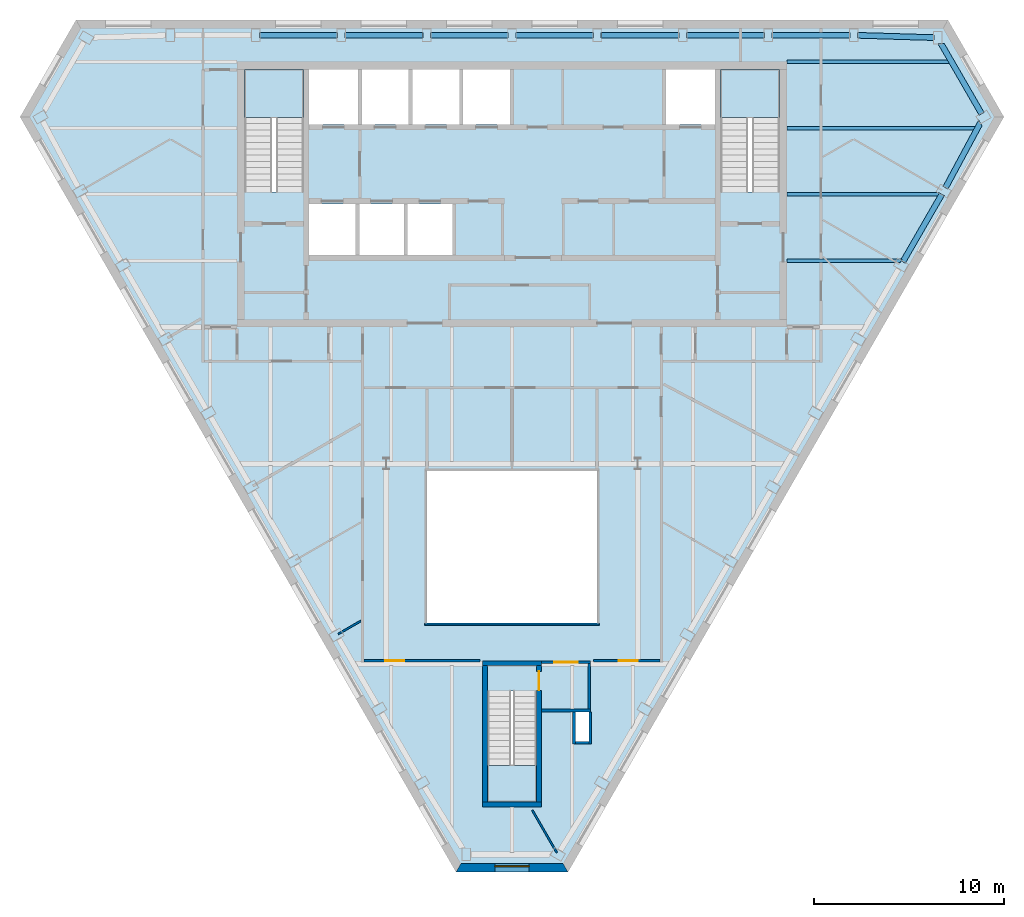
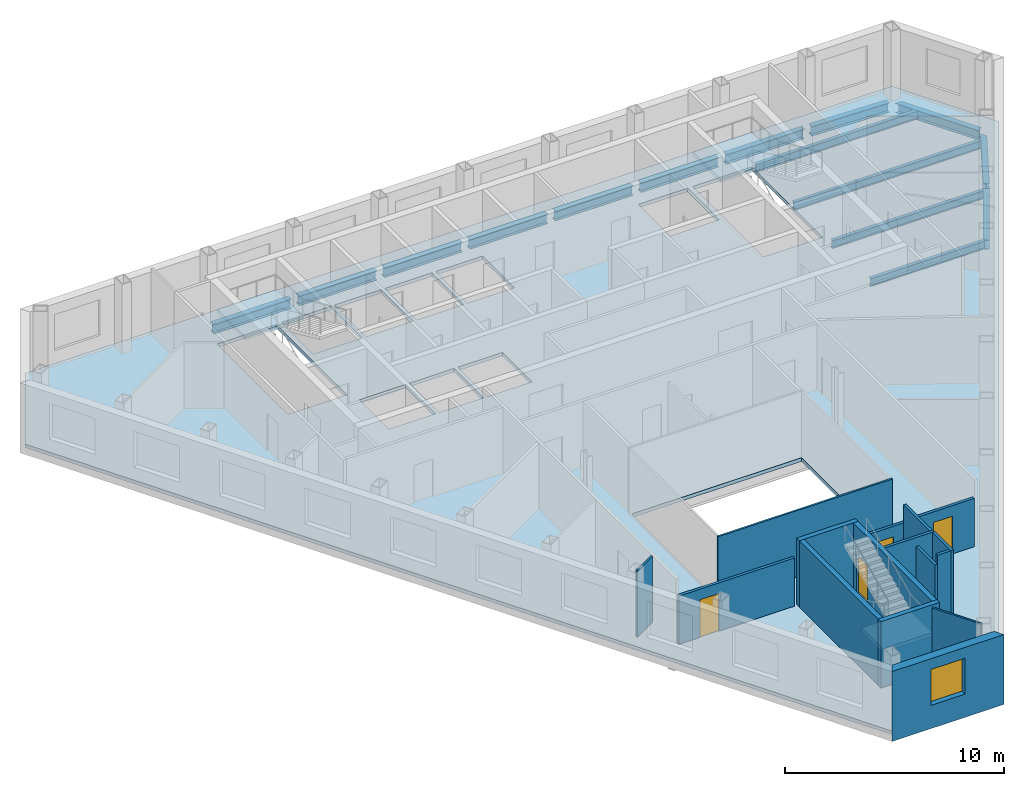
# One storey, part 3 of 10: 16 walls, 15 beams, 4 doors, 4 slabs, 1 window, 5 openings, 3 elements without a shape of their own.
"""IFC4 building model written with IfcOpenShell, lengths in metres."""

from ifc_helpers import new_model, si_unit, direction, frame, frame_2d, origin, origin_2d, place, context, subcontext, project, spatial, polyline, rectangle, i_section, outline, extrude, clip, halfspace, material, layer, layer_set, material_profile, profile_set, type_object, element, fill, aggregate, save


model = new_model("IFC4")

# Units and contexts
model_context = context("Model", 3, precision=1e-05, world=origin(), true_north=direction((0.0, 1.0)))
body_context = subcontext(model_context, "Body", "Model", "MODEL_VIEW")
ifc_project = project(units=[si_unit("LENGTHUNIT", "METRE"), si_unit("AREAUNIT", "SQUARE_METRE"), si_unit("VOLUMEUNIT", "CUBIC_METRE"), si_unit("PLANEANGLEUNIT", "RADIAN"), si_unit("MASSUNIT", "GRAM", prefix="KILO")], contexts=[model_context])

# Site, building, storey
site_placement = place(None, origin())
site = spatial("IfcSite", under=ifc_project, at=site_placement, CompositionType="ELEMENT")
building_placement = place(site_placement, origin())
building = spatial("IfcBuilding", under=site, at=building_placement, Name="Njiva Tower", CompositionType="ELEMENT")
storey_placement = place(building_placement, frame((0.0, 0.0, 261.0)))
storey = spatial("IfcBuildingStorey", under=building, at=storey_placement, Name="L59", CompositionType="ELEMENT", Elevation=261.0)

# Beams
ifc_material_1 = material(Name="Steel S355 J2", Category="steel")
ifc_material_profile_1 = material_profile(ifc_material_1, i_section(OverallWidth=0.19, OverallDepth=0.45, WebThickness=0.0094, FlangeThickness=0.0146, at=origin_2d()), Name="IPE 450")
ifc_profile_set_1 = profile_set([ifc_material_profile_1], Name="Steel S355 J2")
beam_type_1 = type_object("IfcBeamType", Name="B37 Floor beam to the core IPE 450", PredefinedType="BEAM", material=ifc_profile_set_1)
beam_1_placement = place(storey_placement, frame((14.5, 7.5, -0.425), z_axis=(1.0, 0.0, 0.0), x_axis=(0.0, 1.0, 0.0)))
element("IfcBeam", 1, at=beam_1_placement, inside=storey, type_object=beam_type_1, Name="Floor beam to the core S19-B006", PredefinedType="BEAM", context=body_context, shape_type="Clipping", body=[
    clip(extrude(i_section(OverallWidth=0.19, OverallDepth=0.45, WebThickness=0.0094, FlangeThickness=0.0146, at=origin_2d()), origin(), (0.0, 0.0, 1.0), 6.108), halfspace(frame((-0.025, 0.0, 6.019), z_axis=(-0.499998009787, 0.0, 0.866026552831), x_axis=(0.0, 1.0, 0.0)), False)),
])
beam_2_placement = place(storey_placement, frame((14.5, 11.0, -0.425), z_axis=(1.0, 0.0, 0.0), x_axis=(0.0, 1.0, 0.0)))
element("IfcBeam", 2, at=beam_2_placement, inside=storey, type_object=beam_type_1, Name="Floor beam to the core S19-B008", PredefinedType="BEAM", context=body_context, shape_type="Clipping", body=[
    clip(extrude(i_section(OverallWidth=0.19, OverallDepth=0.45, WebThickness=0.0094, FlangeThickness=0.0146, at=origin_2d()), origin(), (0.0, 0.0, 1.0), 8.368), halfspace(frame((0.0433, 0.0, 8.108), z_axis=(0.866026552831, 0.0, 0.499998009787), x_axis=(0.0, 1.0, 0.0)), False)),
])
beam_3_placement = place(storey_placement, frame((14.5, 18.0, -0.425), z_axis=(1.0, 0.0, 0.0), x_axis=(0.0, 1.0, 0.0)))
element("IfcBeam", 3, at=beam_3_placement, inside=storey, type_object=beam_type_1, Name="Floor beam to the core S19-B010", PredefinedType="BEAM", context=body_context, shape_type="Clipping", body=[
    clip(extrude(i_section(OverallWidth=0.19, OverallDepth=0.45, WebThickness=0.0094, FlangeThickness=0.0146, at=origin_2d()), origin(), (0.0, 0.0, 1.0), 8.647), halfspace(frame((0.025, 0.0, 8.5578), z_axis=(0.499998009787, 0.0, 0.866026552831), x_axis=(0.0, 1.0, 0.0)), False)),
])
ifc_material_profile_2 = material_profile(ifc_material_1, i_section(OverallWidth=0.3, OverallDepth=0.54, WebThickness=0.0125, FlangeThickness=0.024, at=origin_2d()), Name="HEA 550")
ifc_profile_set_2 = profile_set([ifc_material_profile_2], Name="Steel S355 J2")
beam_type_2 = type_object("IfcBeamType", Name="B39 Short-span spandrel beam HEA 550", PredefinedType="SPANDREL", material=ifc_profile_set_2)
beam_4_placement = place(storey_placement, frame((22.252, 19.273, -0.47), z_axis=(-0.999547767332, 0.030070929848, 0.0), x_axis=(-0.030070929848, -0.999547767332, 0.0)))
element("IfcBeam", 4, at=beam_4_placement, inside=storey, type_object=beam_type_2, Name="Short-span spandrel beam S19-B121", PredefinedType="SPANDREL", context=body_context, shape_type="SweptSolid", body=[
    extrude(i_section(OverallWidth=0.3, OverallDepth=0.54, WebThickness=0.0125, FlangeThickness=0.024, at=origin_2d()), origin(), (0.0, 0.0, 1.0), 4.0238),
])
beam_5_placement = place(storey_placement, frame((17.826, 19.4, -0.47), z_axis=(-1.0, 0.0, 0.0), x_axis=(0.0, -1.0, 0.0)))
element("IfcBeam", 5, at=beam_5_placement, inside=storey, type_object=beam_type_2, Name="Short-span spandrel beam S19-B115", PredefinedType="SPANDREL", context=body_context, shape_type="SweptSolid", body=[
    extrude(i_section(OverallWidth=0.3, OverallDepth=0.54, WebThickness=0.0125, FlangeThickness=0.024, at=origin_2d()), origin(), (0.0, 0.0, 1.0), 4.106),
])
beam_6_placement = place(storey_placement, frame((13.32, 19.4, -0.47), z_axis=(-1.0, 0.0, 0.0), x_axis=(0.0, -1.0, 0.0)))
element("IfcBeam", 6, at=beam_6_placement, inside=storey, type_object=beam_type_2, Name="Short-span spandrel beam S19-B109", PredefinedType="SPANDREL", context=body_context, shape_type="SweptSolid", body=[
    extrude(i_section(OverallWidth=0.3, OverallDepth=0.54, WebThickness=0.0125, FlangeThickness=0.024, at=origin_2d()), origin(), (0.0, 0.0, 1.0), 4.107),
])
beam_7_placement = place(storey_placement, frame((8.813, 19.4, -0.47), z_axis=(-1.0, 0.0, 0.0), x_axis=(0.0, -1.0, 0.0)))
element("IfcBeam", 7, at=beam_7_placement, inside=storey, type_object=beam_type_2, Name="Short-span spandrel beam S19-B103", PredefinedType="SPANDREL", context=body_context, shape_type="SweptSolid", body=[
    extrude(i_section(OverallWidth=0.3, OverallDepth=0.54, WebThickness=0.0125, FlangeThickness=0.024, at=origin_2d()), origin(), (0.0, 0.0, 1.0), 4.106),
])
for number, where, z_axis, x_axis, name in (
    (8, (4.307, 19.4, -0.47), (-1.0, 0.0, 0.0), (0.0, -1.0, 0.0), "Short-span spandrel beam S19-B100"),
    (9, (-0.2, 19.4, -0.47), (-1.0, 0.0, 0.0), (0.0, -1.0, 0.0), "Short-span spandrel beam S19-B097"),
):
    element("IfcBeam", number, at=place(storey_placement, frame(where, z_axis=z_axis, x_axis=x_axis)), inside=storey, type_object=beam_type_2, Name=name, PredefinedType="SPANDREL", context=body_context, shape_type="SweptSolid", body=[
        extrude(i_section(OverallWidth=0.3, OverallDepth=0.54, WebThickness=0.0125, FlangeThickness=0.024, at=origin_2d()), origin(), (0.0, 0.0, 1.0), 4.107),
    ])
beam_8_placement = place(storey_placement, frame((-4.707, 19.4, -0.47), z_axis=(-1.0, 0.0, 0.0), x_axis=(0.0, -1.0, 0.0)))
element("IfcBeam", 10, at=beam_8_placement, inside=storey, type_object=beam_type_2, Name="Short-span spandrel beam S19-B092", PredefinedType="SPANDREL", context=body_context, shape_type="SweptSolid", body=[
    extrude(i_section(OverallWidth=0.3, OverallDepth=0.54, WebThickness=0.0125, FlangeThickness=0.024, at=origin_2d()), origin(), (0.0, 0.0, 1.0), 4.106),
])
for number, where, z_axis, x_axis, name in (
    (11, (-9.213, 19.4, -0.47), (-1.0, 0.0, 0.0), (0.0, -1.0, 0.0), "Short-span spandrel beam S19-B086"),
    (12, (20.62, 7.449, -0.47), (0.49988405051, 0.866092336905, 0.0), (-0.866092336905, 0.49988405051, 0.0), "Short-span spandrel beam S19-B126"),
):
    element("IfcBeam", number, at=place(storey_placement, frame(where, z_axis=z_axis, x_axis=x_axis)), inside=storey, type_object=beam_type_2, Name=name, PredefinedType="SPANDREL", context=body_context, shape_type="SweptSolid", body=[
        extrude(i_section(OverallWidth=0.3, OverallDepth=0.54, WebThickness=0.0125, FlangeThickness=0.024, at=origin_2d()), origin(), (0.0, 0.0, 1.0), 4.107),
    ])
beam_9_placement = place(storey_placement, frame((22.87, 11.359, -0.47), z_axis=(0.473745879113, 0.880661593362, 0.0), x_axis=(-0.880661593362, 0.473745879113, 0.0)))
element("IfcBeam", 13, at=beam_9_placement, inside=storey, type_object=beam_type_2, Name="Short-span spandrel beam S19-B130", PredefinedType="SPANDREL", context=body_context, shape_type="Clipping", body=[
    clip(extrude(i_section(OverallWidth=0.3, OverallDepth=0.54, WebThickness=0.0125, FlangeThickness=0.024, at=origin_2d()), origin(), (0.0, 0.0, 1.0), 3.9885), halfspace(frame((-0.0262, 0.0, 3.8589), z_axis=(-0.525804327209, 0.0, 0.850605554583), x_axis=(0.0, 1.0, 0.0)), False)),
])
beam_10_placement = place(storey_placement, frame((24.773, 15.255, -0.47), z_axis=(-0.500153222552, 0.865936922628, 0.0), x_axis=(-0.865936922628, -0.500153222552, 0.0)))
element("IfcBeam", 14, at=beam_10_placement, inside=storey, type_object=beam_type_2, Name="Short-span spandrel beam S19-B127", PredefinedType="SPANDREL", context=body_context, shape_type="Clipping", body=[
    clip(extrude(i_section(OverallWidth=0.3, OverallDepth=0.54, WebThickness=0.0125, FlangeThickness=0.024, at=origin_2d()), origin(), (0.0, 0.0, 1.0), 4.3937), halfspace(frame((-0.0254, 0.0, 4.272), z_axis=(-0.500153222552, 0.0, 0.865936922628), x_axis=(0.0, 1.0, 0.0)), False)),
])
ifc_material_profile_3 = material_profile(ifc_material_1, i_section(OverallWidth=0.19, OverallDepth=0.45, WebThickness=0.0094, FlangeThickness=0.0146, at=origin_2d()), Name="IPE 450")
ifc_profile_set_3 = profile_set([ifc_material_profile_3], Name="Steel S355 J2")
beam_type_3 = type_object("IfcBeamType", Name="B45 Long-span floor beam to the core IPE 450", PredefinedType="BEAM", material=ifc_profile_set_3)
beam_11_placement = place(storey_placement, frame((14.5, 14.5, -0.425), z_axis=(1.0, 0.0, 0.0), x_axis=(0.0, 1.0, 0.0)))
element("IfcBeam", 15, at=beam_11_placement, inside=storey, type_object=beam_type_3, Name="Long-span floor beam to the core S19-B009", PredefinedType="BEAM", context=body_context, shape_type="Clipping", body=[
    clip(extrude(i_section(OverallWidth=0.19, OverallDepth=0.45, WebThickness=0.0094, FlangeThickness=0.0146, at=origin_2d()), origin(), (0.0, 0.0, 1.0), 10.017), halfspace(frame((-0.0237, 0.0, 9.9333), z_axis=(-0.47376166762, 0.0, 0.88065309986), x_axis=(0.0, 1.0, 0.0)), False)),
])

# Stair, slab
ifc_material_2 = material(Name="Concrete C40/50", Category="concrete")
stair_type_1 = type_object("IfcStairType", Name="ST3 Exit stair 1450", PredefinedType="HALF_TURN_STAIR", material=ifc_material_2)
stair_1_placement = place(storey_placement, origin())
stair_1 = element("IfcStair", 16, at=stair_1_placement, inside=storey, type_object=stair_type_1, Name="Stair A", PredefinedType="HALF_TURN_STAIR")
ifc_layer_1 = layer(ifc_material_2, 0.2)
ifc_layer_set_1 = layer_set([ifc_layer_1], Name="Concrete C40/50")
slab_type_1 = type_object("IfcSlabType", Name="FL9 Stair landing 200", PredefinedType="LANDING", material=ifc_layer_set_1)
slab_1_placement = place(storey_placement, frame((0.0, 0.0, 1.75)))
slab_1 = element("IfcSlab", 17, at=slab_1_placement, type_object=slab_type_1, Name="ST-A landing 1", PredefinedType="LANDING", context=body_context, shape_type="SweptSolid", body=[
    extrude(outline(polyline([(-14.106, 15.06), (-10.994, 15.06), (-10.994, 17.6), (-14.106, 17.6), (-14.106, 15.06)])), origin(), (0.0, 0.0, 1.0), 0.2),
])
aggregate(stair_1, [slab_1])

stair_2_placement = place(storey_placement, origin())
stair_2 = element("IfcStair", 18, at=stair_2_placement, inside=storey, type_object=stair_type_1, Name="Stair B", PredefinedType="HALF_TURN_STAIR")
slab_2_placement = place(storey_placement, frame((0.0, 0.0, 1.75)))
slab_2 = element("IfcSlab", 19, at=slab_2_placement, type_object=slab_type_1, Name="ST-B landing 1", PredefinedType="LANDING", context=body_context, shape_type="SweptSolid", body=[
    extrude(outline(polyline([(10.994, 15.06), (14.106, 15.06), (14.106, 17.6), (10.994, 17.6), (10.994, 15.06)])), origin(), (0.0, 0.0, 1.0), 0.2),
])
aggregate(stair_2, [slab_2])

stair_type_2 = type_object("IfcStairType", Name="ST1 Exit stair 1250", PredefinedType="HALF_TURN_STAIR", material=ifc_material_2)
stair_3_placement = place(storey_placement, origin())
stair_3 = element("IfcStair", 20, at=stair_3_placement, inside=storey, type_object=stair_type_2, Name="Stair C", PredefinedType="HALF_TURN_STAIR")
slab_3_placement = place(storey_placement, frame((0.0, 0.0, 1.75)))
slab_3 = element("IfcSlab", 21, at=slab_3_placement, type_object=slab_type_1, Name="ST-C landing 1", PredefinedType="LANDING", context=body_context, shape_type="SweptSolid", body=[
    extrude(outline(polyline([(-1.306, -21.05), (1.306, -21.05), (1.306, -19.12), (-1.306, -19.12), (-1.306, -21.05)])), origin(), (0.0, 0.0, 1.0), 0.2),
])
aggregate(stair_3, [slab_3])

# Slab
ifc_material_3 = material(Name="Concrete C30/37", Category="concrete")
ifc_layer_2 = layer(ifc_material_3, 0.2)
ifc_layer_set_2 = layer_set([ifc_layer_2], Name="Concrete C30/37")
slab_type_2 = type_object("IfcSlabType", Name="SL16 Composite floor slab 200", PredefinedType="FLOOR", material=ifc_layer_set_2)
slab_4_placement = place(storey_placement, frame((0.0, 0.0, -0.2)))
element("IfcSlab", 22, at=slab_4_placement, inside=storey, type_object=slab_type_2, Name="Floor slab L59", PredefinedType="FLOOR", context=body_context, shape_type="SweptSolid", body=[
    extrude(outline(polyline([(25.6902, 15.0818), (2.8251, -24.5217), (-2.8251, -24.5217), (-25.6902, 15.0818), (-22.8651, 19.975), (22.8651, 19.975), (25.6902, 15.0818)]), holes=[polyline([(10.994, 11.13), (14.106, 11.13), (14.106, 17.6), (10.994, 17.6), (10.994, 11.13)]), polyline([(8.125, 14.7), (10.7, 14.7), (10.7, 17.6), (8.125, 17.6), (8.125, 14.7)]), polyline([(4.48, -11.6), (4.48, -3.6), (-4.48, -3.6), (-4.48, -11.6), (4.48, -11.6)]), polyline([(3.35, -17.85), (4.05, -17.85), (4.05, -16.3), (3.35, -16.3), (3.35, -17.85)]), polyline([(-1.306, -21.05), (1.306, -21.05), (1.306, -15.19), (-1.306, -15.19), (-1.306, -21.05)]), polyline([(-2.575, 14.7), (-0.1, 14.7), (-0.1, 17.6), (-2.575, 17.6), (-2.575, 14.7)]), polyline([(-2.775, 14.7), (-2.775, 17.6), (-5.25, 17.6), (-5.25, 14.7), (-2.775, 14.7)]), polyline([(-5.5, 7.8), (-3.15, 7.8), (-3.15, 10.5), (-5.5, 10.5), (-5.5, 7.8)]), polyline([(-7.925, 14.7), (-5.45, 14.7), (-5.45, 17.6), (-7.925, 17.6), (-7.925, 14.7)]), polyline([(-8.05, 7.8), (-5.7, 7.8), (-5.7, 10.5), (-8.05, 10.5), (-8.05, 7.8)]), polyline([(-10.7, 14.7), (-8.125, 14.7), (-8.125, 17.6), (-10.7, 17.6), (-10.7, 14.7)]), polyline([(-8.25, 7.8), (-8.25, 10.5), (-10.7, 10.5), (-10.7, 7.8), (-8.25, 7.8)]), polyline([(-10.994, 11.13), (-10.994, 17.6), (-14.106, 17.6), (-14.106, 11.13), (-10.994, 11.13)])]), origin(), (0.0, 0.0, 1.0), 0.2),
])

# Walls
ifc_material_4 = material(Name="Gypsum board on steel studs", Category="gypsum")
ifc_layer_3 = layer(ifc_material_4, 0.1)
ifc_layer_set_3 = layer_set([ifc_layer_3], Name="Gypsum board on steel studs")
wall_type_1 = type_object("IfcWallType", Name="WT20 Gypsum partition 100", PredefinedType="PARTITIONING", material=ifc_layer_set_3)
wall_1_placement = place(storey_placement, frame((-9.167, -12.188, 0.0), z_axis=(0.0, 0.0, 1.0), x_axis=(0.866124840845, 0.499827730395, 0.0)))
element("IfcWall", 23, at=wall_1_placement, inside=storey, type_object=wall_type_1, Name="Partition S19-P013", PredefinedType="PARTITIONING", context=body_context, shape_type="SweptSolid", body=[
    extrude(rectangle(XDim=1.3705, YDim=0.1, at=frame_2d((0.6852, 0.0))), origin(), (0.0, 0.0, 1.0), 3.7),
])
wall_2_placement = place(storey_placement, frame((1.066, -21.475, 0.0), z_axis=(0.0, 0.0, 1.0), x_axis=(0.499944387978, -0.86605750902, 0.0)))
element("IfcWall", 24, at=wall_2_placement, inside=storey, type_object=wall_type_1, Name="Partition S19-P019", PredefinedType="PARTITIONING", context=body_context, shape_type="SweptSolid", body=[
    extrude(rectangle(XDim=2.6003, YDim=0.1, at=frame_2d((1.3002, 0.0))), origin(), (0.0, 0.0, 1.0), 3.7),
])

# Wall, opening, door
ifc_layer_4 = layer(ifc_material_4, 0.15)
ifc_layer_set_4 = layer_set([ifc_layer_4], Name="Gypsum board on steel studs")
wall_type_2 = type_object("IfcWallType", Name="WT21 Compartment wall 150", PredefinedType="PARTITIONING", material=ifc_layer_set_4)
wall_3_placement = place(storey_placement, frame((-7.805, -13.6, 0.0), z_axis=(0.0, 0.0, 1.0), x_axis=(1.0, 0.0, 0.0)))
wall_3 = element("IfcWall", 25, at=wall_3_placement, inside=storey, type_object=wall_type_2, Name="Partition S19-P015", PredefinedType="PARTITIONING", context=body_context, shape_type="SweptSolid", body=[
    extrude(rectangle(XDim=6.105, YDim=0.15, at=frame_2d((3.0525, 0.0))), origin(), (0.0, 0.0, 1.0), 2.692),
])
opening_1_placement = place(wall_3_placement, frame((1.118, 0.0, 0.0)))
opening_1 = element("IfcOpeningElement", 26, at=opening_1_placement, cuts=wall_3, Name="Opening S19-D011", PredefinedType="OPENING", context=body_context, shape_type="SweptSolid", body=[
    extrude(rectangle(XDim=1.0, YDim=2.1, at=frame_2d((0.5, 1.05))), frame((0.0, 0.085, 0.0), z_axis=(0.0, -1.0, 0.0), x_axis=(1.0, 0.0, 0.0)), (0.0, 0.0, 1.0), 0.17),
])
ifc_material_5 = material(Name="Steel fire door set", Category="steel")
door_type_1 = type_object("IfcDoorType", Name="D37 Fire door 1000x2100", OperationType="SINGLE_SWING_LEFT", PredefinedType="DOOR", material=ifc_material_5)
door_1_placement = place(opening_1_placement, origin())
door_1 = element("IfcDoor", 27, at=door_1_placement, inside=storey, type_object=door_type_1, Name="Door S19-D011", OperationType="SINGLE_SWING_LEFT", OverallHeight=2.1, OverallWidth=1.0, PredefinedType="DOOR", context=body_context, shape_type="SweptSolid", body=[
    extrude(rectangle(XDim=1.0, YDim=2.1, at=frame_2d((0.5, 1.05))), frame((0.0, 0.025, 0.0), z_axis=(0.0, -1.0, 0.0), x_axis=(1.0, 0.0, 0.0)), (0.0, 0.0, 1.0), 0.05),
])
fill(opening_1, door_1)

wall_4_placement = place(storey_placement, frame((4.3, -13.6, 0.0), z_axis=(0.0, 0.0, 1.0), x_axis=(1.0, 0.0, 0.0)))
wall_4 = element("IfcWall", 28, at=wall_4_placement, inside=storey, type_object=wall_type_2, Name="Partition S19-P020", PredefinedType="PARTITIONING", context=body_context, shape_type="SweptSolid", body=[
    extrude(rectangle(XDim=3.505, YDim=0.15, at=frame_2d((1.7525, 0.0))), origin(), (0.0, 0.0, 1.0), 2.692),
])
opening_2_placement = place(wall_4_placement, frame((1.336, 0.0, 0.0)))
opening_2 = element("IfcOpeningElement", 29, at=opening_2_placement, cuts=wall_4, Name="Opening S19-D016", PredefinedType="OPENING", context=body_context, shape_type="SweptSolid", body=[
    extrude(rectangle(XDim=1.0, YDim=2.1, at=frame_2d((0.5, 1.05))), frame((0.0, 0.085, 0.0), z_axis=(0.0, -1.0, 0.0), x_axis=(1.0, 0.0, 0.0)), (0.0, 0.0, 1.0), 0.17),
])
door_2_placement = place(opening_2_placement, origin())
door_2 = element("IfcDoor", 30, at=door_2_placement, inside=storey, type_object=door_type_1, Name="Door S19-D016", OperationType="SINGLE_SWING_RIGHT", OverallHeight=2.1, OverallWidth=1.0, PredefinedType="DOOR", context=body_context, shape_type="SweptSolid", body=[
    extrude(rectangle(XDim=1.0, YDim=2.1, at=frame_2d((0.5, 1.05))), frame((0.0, 0.025, 0.0), z_axis=(0.0, -1.0, 0.0), x_axis=(1.0, 0.0, 0.0)), (0.0, 0.0, 1.0), 0.05),
])
fill(opening_2, door_2)

# Walls
ifc_material_6 = material(Name="Blockwork", Category="masonry")
ifc_layer_5 = layer(ifc_material_6, 0.15)
ifc_layer_set_5 = layer_set([ifc_layer_5], Name="Blockwork")
wall_type_3 = type_object("IfcWallType", Name="WT4 Stair partition 150", PredefinedType="PARTITIONING", material=ifc_layer_set_5)
wall_5_placement = place(storey_placement, frame((1.55, -16.225, 0.0), z_axis=(0.0, 0.0, 1.0), x_axis=(1.0, 0.0, 0.0)))
element("IfcWall", 31, at=wall_5_placement, inside=storey, type_object=wall_type_3, Name="Stair C vestibule wall south", PredefinedType="PARTITIONING", context=body_context, shape_type="SweptSolid", body=[
    extrude(rectangle(XDim=2.6, YDim=0.15, at=frame_2d((1.3, 0.0))), origin(), (0.0, 0.0, 1.0), 3.7),
])
wall_6_placement = place(storey_placement, frame((4.075, -16.15, 0.0), z_axis=(0.0, 0.0, 1.0), x_axis=(0.0, 1.0, 0.0)))
element("IfcWall", 32, at=wall_6_placement, inside=storey, type_object=wall_type_3, Name="Stair C vestibule wall east", PredefinedType="PARTITIONING", context=body_context, shape_type="SweptSolid", body=[
    extrude(rectangle(XDim=2.4, YDim=0.15, at=frame_2d((1.2, 0.0))), origin(), (0.0, 0.0, 1.0), 3.7),
])

# Wall, opening, door
wall_7_placement = place(storey_placement, frame((1.55, -13.675, 0.0), z_axis=(0.0, 0.0, 1.0), x_axis=(1.0, 0.0, 0.0)))
wall_7 = element("IfcWall", 33, at=wall_7_placement, inside=storey, type_object=wall_type_3, Name="Stair C vestibule wall north", PredefinedType="PARTITIONING", context=body_context, shape_type="SweptSolid", body=[
    extrude(rectangle(XDim=2.6, YDim=0.15, at=frame_2d((1.3, 0.0))), origin(), (0.0, 0.0, 1.0), 2.692),
])
opening_3_placement = place(wall_7_placement, frame((0.675, 0.0, 0.0)))
opening_3 = element("IfcOpeningElement", 34, at=opening_3_placement, cuts=wall_7, Name="Opening S19-D929", PredefinedType="OPENING", context=body_context, shape_type="SweptSolid", body=[
    extrude(rectangle(XDim=1.25, YDim=2.1, at=frame_2d((0.625, 1.05))), frame((0.0, 0.085, 0.0), z_axis=(0.0, -1.0, 0.0), x_axis=(1.0, 0.0, 0.0)), (0.0, 0.0, 1.0), 0.17),
])
ifc_material_7 = material(Name="Glazed steel fire door", Category="steel")
door_type_2 = type_object("IfcDoorType", Name="D8 Vestibule corridor door 1250x2100 glazed", OperationType="SINGLE_SWING_LEFT", PredefinedType="DOOR", material=ifc_material_7)
door_3_placement = place(opening_3_placement, origin())
door_3 = element("IfcDoor", 35, at=door_3_placement, inside=storey, type_object=door_type_2, Name="Stair vestibule corridor door", OperationType="SINGLE_SWING_RIGHT", OverallHeight=2.1, OverallWidth=1.25, PredefinedType="DOOR", context=body_context, shape_type="SweptSolid", body=[
    extrude(rectangle(XDim=1.25, YDim=2.1, at=frame_2d((0.625, 1.05))), frame((0.0, 0.025, 0.0), z_axis=(0.0, -1.0, 0.0), x_axis=(1.0, 0.0, 0.0)), (0.0, 0.0, 1.0), 0.05),
])
fill(opening_3, door_3)

# Walls
wall_8_placement = place(storey_placement, frame((3.275, -18.0, 0.0), z_axis=(0.0, 0.0, 1.0), x_axis=(0.0, 1.0, 0.0)))
element("IfcWall", 36, at=wall_8_placement, inside=storey, type_object=wall_type_3, Name="Stair C pressurisation shaft wall", PredefinedType="PARTITIONING", context=body_context, shape_type="SweptSolid", body=[
    extrude(rectangle(XDim=1.7, YDim=0.15, at=frame_2d((0.85, 0.0))), origin(), (0.0, 0.0, 1.0), 3.2),
])
wall_9_placement = place(storey_placement, frame((3.35, -17.925, 0.0), z_axis=(0.0, 0.0, 1.0), x_axis=(1.0, 0.0, 0.0)))
element("IfcWall", 37, at=wall_9_placement, inside=storey, type_object=wall_type_3, Name="Stair C pressurisation shaft wall", PredefinedType="PARTITIONING", context=body_context, shape_type="SweptSolid", body=[
    extrude(rectangle(XDim=0.7, YDim=0.15, at=frame_2d((0.35, 0.0))), origin(), (0.0, 0.0, 1.0), 3.7),
])
wall_10_placement = place(storey_placement, frame((4.125, -18.0, 0.0), z_axis=(0.0, 0.0, 1.0), x_axis=(0.0, 1.0, 0.0)))
element("IfcWall", 38, at=wall_10_placement, inside=storey, type_object=wall_type_3, Name="Stair C pressurisation shaft wall", PredefinedType="PARTITIONING", context=body_context, shape_type="SweptSolid", body=[
    extrude(rectangle(XDim=1.7, YDim=0.15, at=frame_2d((0.85, 0.0))), origin(), (0.0, 0.0, 1.0), 3.7),
])
ifc_layer_6 = layer(ifc_material_2, 0.25)
ifc_layer_set_6 = layer_set([ifc_layer_6], Name="Concrete C40/50")
wall_type_4 = type_object("IfcWallType", Name="WT9 Stair enclosure wall 250", PredefinedType="SHEAR", material=ifc_layer_set_6)
wall_11_placement = place(storey_placement, frame((-1.425, -21.05, 0.0), z_axis=(0.0, 0.0, 1.0), x_axis=(0.0, 1.0, 0.0)))
element("IfcWall", 39, at=wall_11_placement, inside=storey, type_object=wall_type_4, Name="Stair C wall west", PredefinedType="SHEAR", context=body_context, shape_type="SweptSolid", body=[
    extrude(rectangle(XDim=7.2, YDim=0.25, at=frame_2d((3.6, 0.0))), origin(), (0.0, 0.0, 1.0), 3.7),
])

# Wall, opening, door
wall_12_placement = place(storey_placement, frame((1.425, -21.05, 0.0), z_axis=(0.0, 0.0, 1.0), x_axis=(0.0, 1.0, 0.0)))
wall_12 = element("IfcWall", 40, at=wall_12_placement, inside=storey, type_object=wall_type_4, Name="Stair C wall east", PredefinedType="SHEAR", context=body_context, shape_type="SweptSolid", body=[
    extrude(rectangle(XDim=7.2, YDim=0.25, at=frame_2d((3.6, 0.0))), origin(), (0.0, 0.0, 1.0), 3.7),
])
opening_4_placement = place(wall_12_placement, frame((5.89, 0.0, 0.0)))
opening_4 = element("IfcOpeningElement", 41, at=opening_4_placement, cuts=wall_12, Name="Opening S19-D928", PredefinedType="OPENING", context=body_context, shape_type="SweptSolid", body=[
    extrude(rectangle(XDim=1.0, YDim=2.1, at=frame_2d((0.5, 1.05))), frame((0.0, 0.135, 0.0), z_axis=(0.0, -1.0, 0.0), x_axis=(1.0, 0.0, 0.0)), (0.0, 0.0, 1.0), 0.27),
])
door_type_3 = type_object("IfcDoorType", Name="D9 Stair vestibule door 1000x2100 glazed", OperationType="SINGLE_SWING_LEFT", PredefinedType="DOOR", material=ifc_material_7)
door_4_placement = place(opening_4_placement, origin())
door_4 = element("IfcDoor", 42, at=door_4_placement, inside=storey, type_object=door_type_3, Name="Stair C door", OperationType="SINGLE_SWING_LEFT", OverallHeight=2.1, OverallWidth=1.0, PredefinedType="DOOR", context=body_context, shape_type="SweptSolid", body=[
    extrude(rectangle(XDim=1.0, YDim=2.1, at=frame_2d((0.5, 1.05))), frame((0.0, 0.025, 0.0), z_axis=(0.0, -1.0, 0.0), x_axis=(1.0, 0.0, 0.0)), (0.0, 0.0, 1.0), 0.05),
])
fill(opening_4, door_4)

# Walls
for number, where, z_axis, x_axis, name in (
    (43, (-1.55, -21.175, 0.0), (0.0, 0.0, 1.0), (1.0, 0.0, 0.0), "Stair C wall south"),
    (44, (-1.55, -13.725, 0.0), (0.0, 0.0, 1.0), (1.0, 0.0, 0.0), "Stair C wall north"),
):
    element("IfcWall", number, at=place(storey_placement, frame(where, z_axis=z_axis, x_axis=x_axis)), inside=storey, type_object=wall_type_4, Name=name, PredefinedType="SHEAR", context=body_context, shape_type="SweptSolid", body=[
        extrude(rectangle(XDim=3.1, YDim=0.25, at=frame_2d((1.55, 0.0))), origin(), (0.0, 0.0, 1.0), 3.7),
    ])

# Wall, opening, window
ifc_material_8 = material(Name="Brick masonry, buff", Category="masonry")
ifc_layer_7 = layer(ifc_material_8, 0.45)
ifc_layer_set_7 = layer_set([ifc_layer_7], Name="Brick masonry, buff")
wall_type_5 = type_object("IfcWallType", Name="WT94 Brick pier and spandrel wall 450, buff", PredefinedType="SOLIDWALL", material=ifc_layer_set_7)
wall_13_placement = place(storey_placement, frame((-2.8251, -24.5217, -0.4), z_axis=(0.0, 0.0, 1.0), x_axis=(1.0, 0.0, 0.0)))
wall_13 = element("IfcWall", 45, at=wall_13_placement, inside=storey, type_object=wall_type_5, Name="Facade wall S", PredefinedType="SOLIDWALL", context=body_context, shape_type="SweptSolid", body=[
    extrude(outline(polyline([(-0.1299, -0.225), (5.7801, -0.225), (5.5203, 0.225), (0.1299, 0.225), (-0.1299, -0.225)])), origin(), (0.0, 0.0, 1.0), 3.9),
])
opening_5_placement = place(wall_13_placement, frame((1.9251, 0.0, 1.3)))
opening_5 = element("IfcOpeningElement", 46, at=opening_5_placement, cuts=wall_13, Name="Opening S19-W19", PredefinedType="OPENING", context=body_context, shape_type="SweptSolid", body=[
    extrude(rectangle(XDim=1.8, YDim=2.0, at=frame_2d((0.9, 1.0))), frame((0.0, 0.235, 0.0), z_axis=(0.0, -1.0, 0.0), x_axis=(1.0, 0.0, 0.0)), (0.0, 0.0, 1.0), 0.47),
])
ifc_material_9 = material(Name="Clear glazing in aluminium frame", Category="aluminium")
window_type = type_object("IfcWindowType", Name="W94 Deep-set window 1800x2000", PartitioningType="SINGLE_PANEL", PredefinedType="WINDOW", material=ifc_material_9)
window_placement = place(opening_5_placement, origin())
window = element("IfcWindow", 47, at=window_placement, inside=storey, type_object=window_type, Name="Window", OverallHeight=2.0, OverallWidth=1.8, PartitioningType="SINGLE_PANEL", PredefinedType="WINDOW", context=body_context, shape_type="SweptSolid", body=[
    extrude(rectangle(XDim=1.8, YDim=2.0, at=frame_2d((0.9, 1.0))), frame((0.0, 0.105, 0.0), z_axis=(0.0, -1.0, 0.0), x_axis=(1.0, 0.0, 0.0)), (0.0, 0.0, 1.0), 0.06),
])
fill(opening_5, window)

# Wall
ifc_material_10 = material(Name="Fire-resisting glazing EI 90", Category="glass")
ifc_layer_8 = layer(ifc_material_10, 0.1)
ifc_layer_set_8 = layer_set([ifc_layer_8], Name="Fire-resisting glazing EI 90")
wall_type_6 = type_object("IfcWallType", Name="WT95 Fire-resisting glazed screen EI 90", PredefinedType="PARTITIONING", material=ifc_layer_set_8)
wall_14_placement = place(storey_placement, frame((-4.6, -11.67, 0.0), z_axis=(0.0, 0.0, 1.0), x_axis=(1.0, 0.0, 0.0)))
element("IfcWall", 48, at=wall_14_placement, inside=storey, type_object=wall_type_6, Name="Atrium fire screen south", PredefinedType="PARTITIONING", context=body_context, shape_type="SweptSolid", body=[
    extrude(rectangle(XDim=9.2, YDim=0.1, at=frame_2d((4.6, 0.0))), origin(), (0.0, 0.0, 1.0), 3.7),
])

save(model, "model.ifc")
